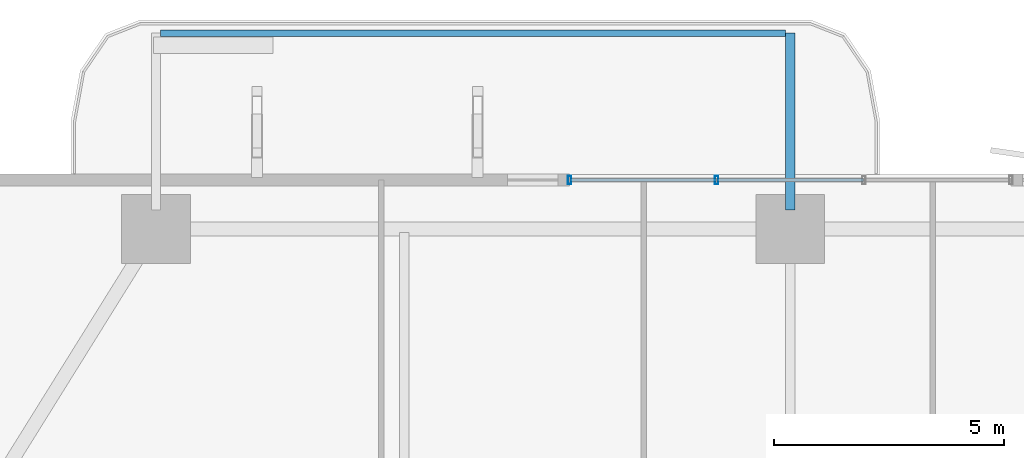
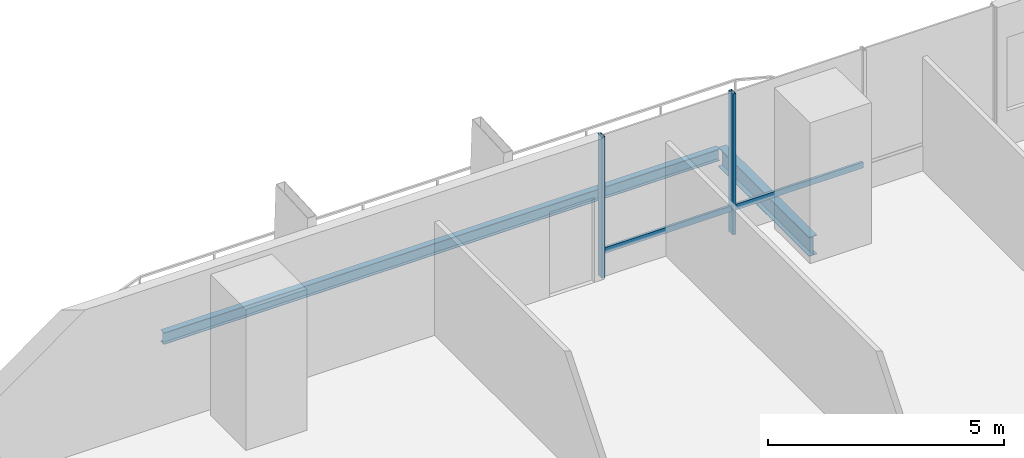
# One storey, part 11 of 24: 4 members, 2 beams, 1 element without a shape of its own.
"""IFC4 building model written with IfcOpenShell, lengths in metres."""

from ifc_helpers import new_model, si_unit, direction, frame, origin, origin_2d, place, context, subcontext, project, spatial, hollow_rectangle, i_section, extrude, material, layer, layer_set, material_profile, profile_set, type_object, element, aggregate, save


model = new_model("IFC4")

# Units and contexts
model_context = context("Model", 3, precision=1e-05, world=origin(), true_north=direction((0.0, 1.0)))
body_context = subcontext(model_context, "Body", "Model", "MODEL_VIEW")
ifc_project = project(units=[si_unit("LENGTHUNIT", "METRE"), si_unit("AREAUNIT", "SQUARE_METRE"), si_unit("VOLUMEUNIT", "CUBIC_METRE"), si_unit("PLANEANGLEUNIT", "RADIAN"), si_unit("MASSUNIT", "GRAM", prefix="KILO")], contexts=[model_context])

# Site, building, storey
site_placement = place(None, origin())
site = spatial("IfcSite", under=ifc_project, at=site_placement, CompositionType="ELEMENT")
building_placement = place(site_placement, origin())
building = spatial("IfcBuilding", under=site, at=building_placement, Name="Belovzor Exchange Tower", CompositionType="ELEMENT")
storey_placement = place(building_placement, frame((0.0, 0.0, 72.89990234375)))
storey = spatial("IfcBuildingStorey", under=building, at=storey_placement, Name="L17", CompositionType="ELEMENT", Elevation=72.89990234375)

# Beams
ifc_material_1 = material(Name="Steel S355", Category="steel")
ifc_material_profile_1 = material_profile(ifc_material_1, i_section(OverallWidth=0.199951171875, OverallDepth=0.5, WebThickness=0.01025390625, FlangeThickness=0.01611328125, at=origin_2d()))
ifc_profile_set_1 = profile_set([ifc_material_profile_1], Name="Steel S355")
beam_type_1 = type_object("IfcBeamType", Name="Planted Balcony Cantilever Beam IPE 500", PredefinedType="BEAM", material=ifc_profile_set_1)
beam_1_placement = place(storey_placement, frame((28.800048828125, 55.9130859375, -0.5), z_axis=(0.0, 1.0, 0.0), x_axis=(-1.0, 0.0, 0.0)))
element("IfcBeam", 1, at=beam_1_placement, inside=storey, type_object=beam_type_1, Name="BC-500 Planted Balcony Cantilever Beam IPE 500", PredefinedType="BEAM", context=body_context, shape_type="SweptSolid", body=[
    extrude(i_section(OverallWidth=0.199951171875, OverallDepth=0.5, WebThickness=0.01025390625, FlangeThickness=0.01611328125, at=origin_2d()), origin(), (0.0, 0.0, 1.0), 3.849853515625),
])
ifc_material_2 = material(Name="Steel S355", Category="steel")
ifc_material_profile_2 = material_profile(ifc_material_2, i_section(OverallWidth=0.14990234375, OverallDepth=0.300048828125, WebThickness=0.007080078125, FlangeThickness=0.0107421875, at=origin_2d()))
ifc_profile_set_2 = profile_set([ifc_material_profile_2], Name="Steel S355")
beam_type_2 = type_object("IfcBeamType", Name="Planted Balcony Fascia Edge Beam IPE 300", PredefinedType="BEAM", material=ifc_profile_set_2)
beam_2_placement = place(storey_placement, frame((28.699951171875, 59.762939453125, -0.39990234375), z_axis=(-1.0, 0.0, 0.0), x_axis=(0.0, -1.0, 0.0)))
element("IfcBeam", 2, at=beam_2_placement, inside=storey, type_object=beam_type_2, Name="BC-300 Planted Balcony Fascia Edge Beam IPE 300", PredefinedType="BEAM", context=body_context, shape_type="SweptSolid", body=[
    extrude(i_section(OverallWidth=0.14990234375, OverallDepth=0.300048828125, WebThickness=0.007080078125, FlangeThickness=0.0107421875, at=origin_2d()), origin(), (0.0, 0.0, 1.0), 13.599853515625),
])

# Curtain wall, members
ifc_material_3 = material(Name="Anodised Aluminium Framing", Category="aluminium")
ifc_layer = layer(ifc_material_3, 0.179931640625)
ifc_layer_set = layer_set([ifc_layer], Name="Anodised Aluminium Framing")
curtain_wall_type = type_object("IfcCurtainWallType", Name="Recessed Loggia Low-Iron Triple-Glazed Curtain Wall", PredefinedType="NOTDEFINED", material=ifc_layer_set)
curtain_wall_placement = place(storey_placement, origin())
curtain_wall = element("IfcCurtainWall", 3, at=curtain_wall_placement, inside=storey, type_object=curtain_wall_type, Name="CW3 Recessed Loggia Low-Iron Triple-Glazed Curtain Wall L17", PredefinedType="NOTDEFINED")
ifc_material_4 = material(Name="Steel S355", Category="steel")
ifc_material_profile_3 = material_profile(ifc_material_4, hollow_rectangle(XDim=0.074951171875, YDim=0.179931640625, WallThickness=0.0048828125, at=origin_2d()))
ifc_profile_set_3 = profile_set([ifc_material_profile_3], Name="Steel S355")
member_type_1 = type_object("IfcMemberType", Name="Thermally Broken Curtain Wall Mullion 180x75", PredefinedType="MULLION", material=ifc_profile_set_3)
member_1_placement = place(storey_placement, frame((24.0, 56.570068359375, 0.0), z_axis=(0.0, 0.0, 1.0), x_axis=(1.0, 0.0, 0.0)))
member_1 = element("IfcMember", 4, at=member_1_placement, type_object=member_type_1, Name="CW-M180 Curtain Wall Mullion 1", PredefinedType="MULLION", context=body_context, shape_type="SweptSolid", body=[
    extrude(hollow_rectangle(XDim=0.074951171875, YDim=0.179931640625, WallThickness=0.0048828125, at=origin_2d()), origin(), (0.0, 0.0, 1.0), 3.650146484375),
])
member_2_placement = place(storey_placement, frame((27.199951171875, 56.570068359375, 0.0), z_axis=(0.0, 0.0, 1.0), x_axis=(1.0, 0.0, 0.0)))
member_2 = element("IfcMember", 5, at=member_2_placement, type_object=member_type_1, Name="CW-M180 Curtain Wall Mullion 2", PredefinedType="MULLION", context=body_context, shape_type="SweptSolid", body=[
    extrude(hollow_rectangle(XDim=0.074951171875, YDim=0.179931640625, WallThickness=0.0048828125, at=origin_2d()), origin(), (0.0, 0.0, 1.0), 3.650146484375),
])
ifc_material_5 = material(Name="Steel S355", Category="steel")
ifc_material_profile_4 = material_profile(ifc_material_5, hollow_rectangle(XDim=0.06005859375, YDim=0.14990234375, WallThickness=0.00390625, at=origin_2d()))
ifc_profile_set_4 = profile_set([ifc_material_profile_4], Name="Steel S355")
member_type_2 = type_object("IfcMemberType", Name="Thermally Broken Curtain Wall Transom 150x60", PredefinedType="USERDEFINED", material=ifc_profile_set_4)
member_3_placement = place(storey_placement, frame((24.008056640625, 56.570068359375, 0.650146484375), z_axis=(1.0, 0.0, 0.0), x_axis=(0.0, 1.0, 0.0)))
member_3 = element("IfcMember", 6, at=member_3_placement, type_object=member_type_2, Name="CW-T150 Curtain Wall Transom 1", ObjectType="TRANSOM", PredefinedType="USERDEFINED", context=body_context, shape_type="SweptSolid", body=[
    extrude(hollow_rectangle(XDim=0.06005859375, YDim=0.14990234375, WallThickness=0.00390625, at=origin_2d()), origin(), (0.0, 0.0, 1.0), 3.183837890625),
])
member_4_placement = place(storey_placement, frame((27.2080078125, 56.570068359375, 0.650146484375), z_axis=(1.0, 0.0, 0.0), x_axis=(0.0, 1.0, 0.0)))
member_4 = element("IfcMember", 7, at=member_4_placement, type_object=member_type_2, Name="CW-T150 Curtain Wall Transom 2", ObjectType="TRANSOM", PredefinedType="USERDEFINED", context=body_context, shape_type="SweptSolid", body=[
    extrude(hollow_rectangle(XDim=0.06005859375, YDim=0.14990234375, WallThickness=0.00390625, at=origin_2d()), origin(), (0.0, 0.0, 1.0), 3.18408203125),
])
aggregate(curtain_wall, [member_1, member_2, member_3, member_4])

save(model, "model.ifc")
